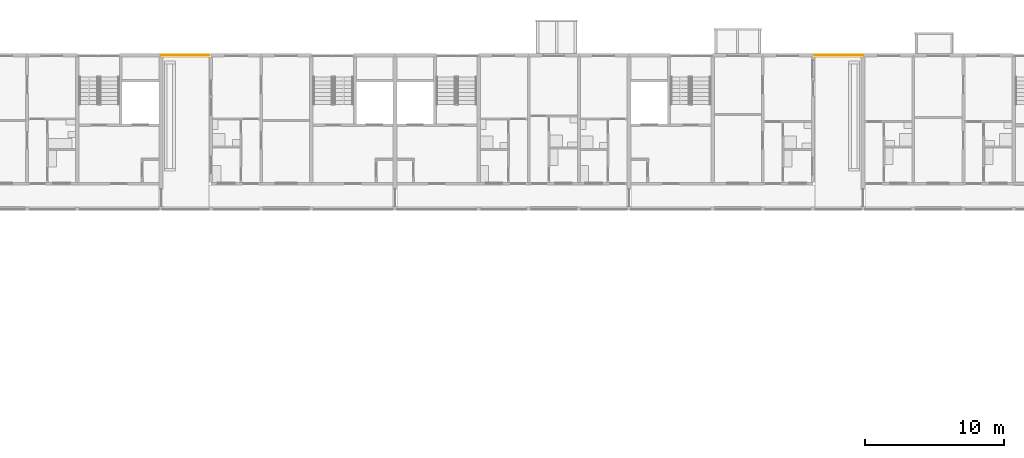
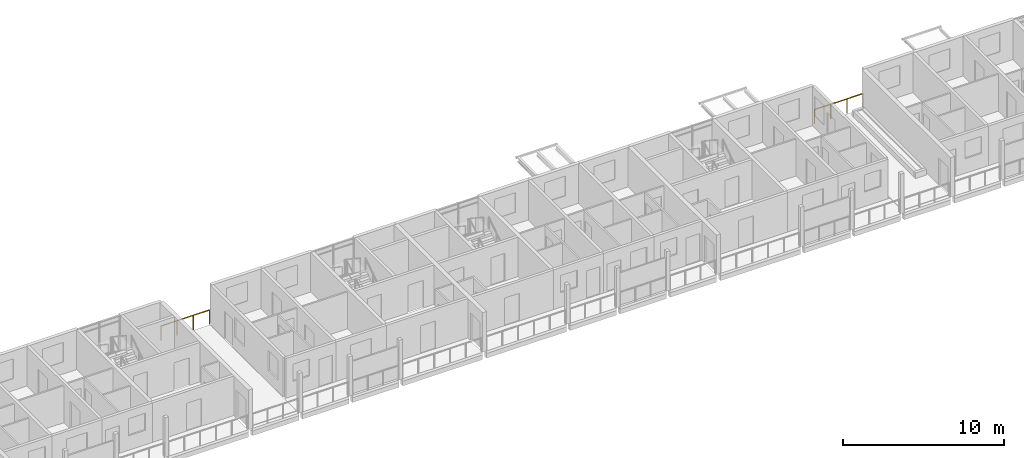
# One storey, part 91 of 94: 2 railings.
"""IFC4 building model written with IfcOpenShell, lengths in metres."""

from ifc_helpers import new_model, si_unit, direction, frame, origin, origin_2d, place, context, subcontext, project, spatial, circle, extrude, material, type_object, element, save


model = new_model("IFC4")

# Units and contexts
model_context = context("Model", 3, precision=1e-05, world=origin(), true_north=direction((0.0, 1.0)))
body_context = subcontext(model_context, "Body", "Model", "MODEL_VIEW")
ifc_project = project(units=[si_unit("LENGTHUNIT", "METRE"), si_unit("AREAUNIT", "SQUARE_METRE"), si_unit("VOLUMEUNIT", "CUBIC_METRE"), si_unit("PLANEANGLEUNIT", "RADIAN"), si_unit("MASSUNIT", "GRAM", prefix="KILO")], contexts=[model_context])

# Site, building, storey
site_placement = place(None, origin())
site = spatial("IfcSite", under=ifc_project, at=site_placement, CompositionType="ELEMENT")
building_placement = place(site_placement, origin())
building = spatial("IfcBuilding", under=site, at=building_placement, Name="Ridgestep Commons", CompositionType="ELEMENT")
storey_placement = place(building_placement, frame((0.0, 0.0, 21.0)))
storey = spatial("IfcBuildingStorey", under=building, at=storey_placement, Name="L07", CompositionType="ELEMENT", Elevation=21.0)

# Railings
ifc_material = material(Name="Structural steel S355JR", Category="steel")
railing_type = type_object("IfcRailingType", Name="Guard 1100", PredefinedType="GUARDRAIL", material=ifc_material)
railing_1_placement = place(storey_placement, frame((163.60009765625, 77.125, 0.0)))
element("IfcRailing", 1, at=railing_1_placement, inside=storey, type_object=railing_type, Name="Guard TD-C2R1-GD", PredefinedType="GUARDRAIL", context=body_context, shape_type="SweptSolid", body=[
    extrude(circle(Radius=0.02392578125, at=origin_2d()), frame((0.0, 0.0, 1.076171875), z_axis=(1.0, 0.0, 0.0), x_axis=(0.0, 1.0, 0.0)), (0.0, 0.0, 1.0), 3.47900390625),
    extrude(circle(Radius=0.02099609375, at=origin_2d()), origin(), (0.0, 0.0, 1.0), 1.052001953125),
    extrude(circle(Radius=0.02099609375, at=origin_2d()), frame((1.15966796875, 0.0, 0.0)), (0.0, 0.0, 1.0), 1.052001953125),
    extrude(circle(Radius=0.02099609375, at=origin_2d()), frame((2.3193359375, 0.0, 0.0)), (0.0, 0.0, 1.0), 1.052001953125),
    extrude(circle(Radius=0.02099609375, at=origin_2d()), frame((3.47900390625, 0.0, 0.0)), (0.0, 0.0, 1.0), 1.052001953125),
])
railing_2_placement = place(storey_placement, frame((214.0, 77.125, 0.0)))
element("IfcRailing", 2, at=railing_2_placement, inside=storey, type_object=railing_type, Name="Guard TD-C4R1-GD", PredefinedType="GUARDRAIL", context=body_context, shape_type="SweptSolid", body=[
    extrude(circle(Radius=0.02392578125, at=origin_2d()), frame((0.0, 0.0, 1.076171875), z_axis=(-1.0, 0.0, 0.0), x_axis=(0.0, -1.0, 0.0)), (0.0, 0.0, 1.0), 3.47900390625),
    extrude(circle(Radius=0.02099609375, at=origin_2d()), origin(), (0.0, 0.0, 1.0), 1.052001953125),
    extrude(circle(Radius=0.02099609375, at=origin_2d()), frame((-1.15966796875, 0.0, 0.0)), (0.0, 0.0, 1.0), 1.052001953125),
    extrude(circle(Radius=0.02099609375, at=origin_2d()), frame((-2.3193359375, 0.0, 0.0)), (0.0, 0.0, 1.0), 1.052001953125),
    extrude(circle(Radius=0.02099609375, at=origin_2d()), frame((-3.47900390625, 0.0, 0.0)), (0.0, 0.0, 1.0), 1.052001953125),
])

save(model, "model.ifc")
